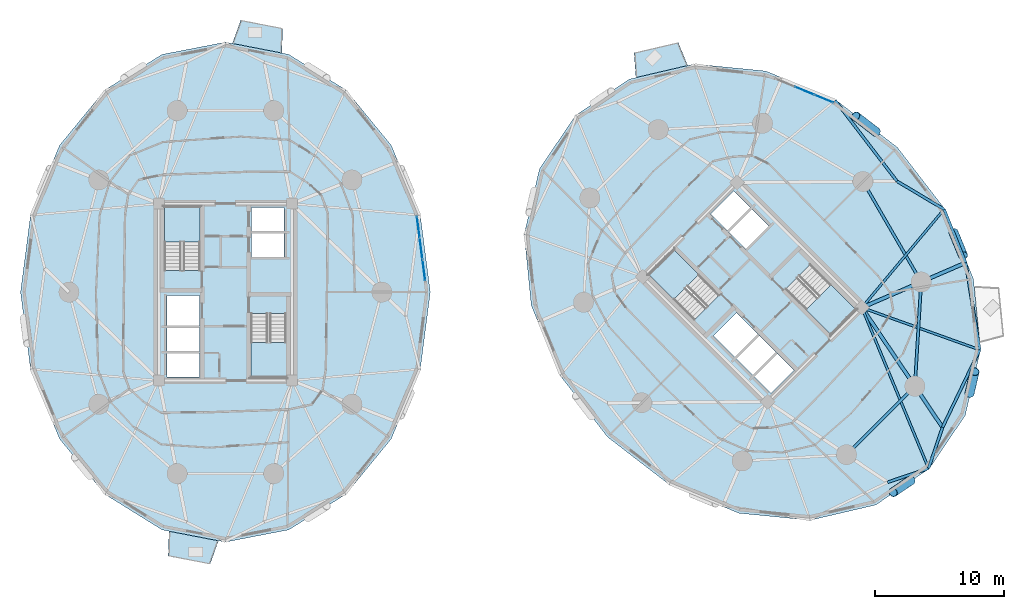
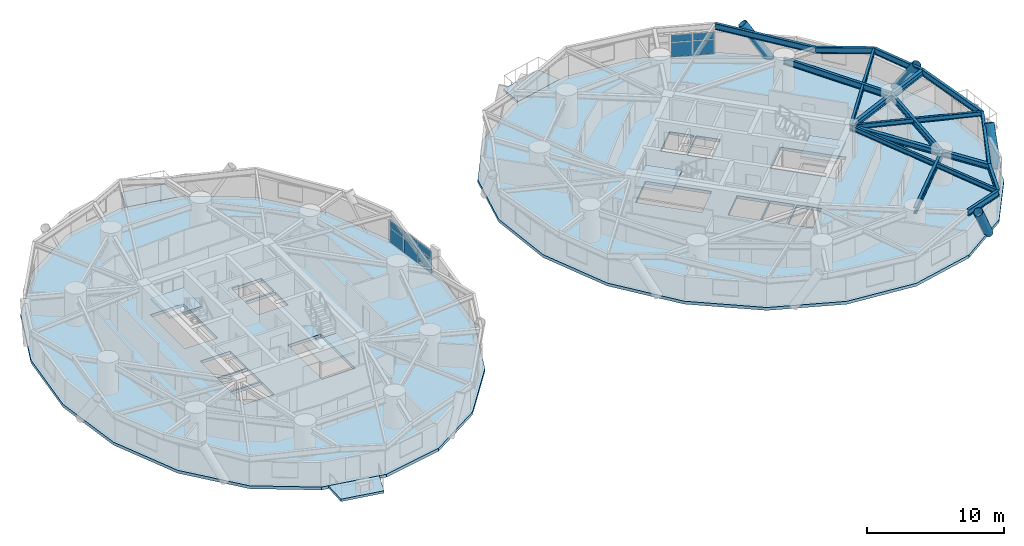
# One storey, part 7 of 17: 15 beams, 10 plates, 9 slabs, 4 members, 6 elements without a shape of their own.
"""IFC4 building model written with IfcOpenShell, lengths in metres."""

from ifc_helpers import new_model, si_unit, direction, frame, origin, origin_2d, place, context, subcontext, project, spatial, polyline, rectangle, hollow_circle, i_section, outline, extrude, source, transform, mapped, material, layer, layer_set, material_profile, profile_set, type_object, element, aggregate, save


model = new_model("IFC4")

# Units and contexts
model_context = context("Model", 3, precision=1e-05, world=origin(), true_north=direction((0.0, 1.0)))
body_context = subcontext(model_context, "Body", "Model", "MODEL_VIEW")
ifc_project = project(units=[si_unit("LENGTHUNIT", "METRE"), si_unit("AREAUNIT", "SQUARE_METRE"), si_unit("VOLUMEUNIT", "CUBIC_METRE"), si_unit("PLANEANGLEUNIT", "RADIAN"), si_unit("MASSUNIT", "GRAM", prefix="KILO")], contexts=[model_context])

# Site, building, storey
site_placement = place(None, origin())
site = spatial("IfcSite", under=ifc_project, at=site_placement, CompositionType="ELEMENT")
building_placement = place(site_placement, origin())
building = spatial("IfcBuilding", under=site, at=building_placement, Name="Cununo Teusaquillo Station Towers", CompositionType="ELEMENT")
storey_placement = place(building_placement, frame((0.0, 0.0, 59.830078125)))
storey = spatial("IfcBuildingStorey", under=building, at=storey_placement, Name="L18", CompositionType="ELEMENT", Elevation=59.830078125)

# Beams
ifc_material_1 = material(Name="Steel ASTM A572 Grade 50", Category="steel")
ifc_material_profile_1 = material_profile(ifc_material_1, i_section(OverallWidth=0.180908203125, OverallDepth=0.4169921875, WebThickness=0.010986328125, FlangeThickness=0.018310546875, FilletRadius=0.012939453125, at=origin_2d()), Name="W16X57")
ifc_profile_set_1 = profile_set([ifc_material_profile_1], Name="Steel ASTM A572 Grade 50")
beam_type_1 = type_object("IfcBeamType", Name="BM-JOIST-1", PredefinedType="JOIST", material=ifc_profile_set_1)
beam_1_placement = place(storey_placement, frame((66.024169921875, 23.29443359375, 2.44140625), z_axis=(0.383107724927, -0.923703670612, 0.0), x_axis=(0.923703670612, 0.383107724927, 0.0)))
element("IfcBeam", 1, at=beam_1_placement, inside=storey, type_object=beam_type_1, Name="L18 Tower B Radial Spandrel Joist V15", PredefinedType="JOIST", context=body_context, shape_type="SweptSolid", body=[
    extrude(i_section(OverallWidth=0.180908203125, OverallDepth=0.4169921875, WebThickness=0.010986328125, FlangeThickness=0.018310546875, FilletRadius=0.012939453125, at=origin_2d()), origin(), (0.0, 0.0, 1.0), 13.5380859375),
])
beam_2_placement = place(storey_placement, frame((66.024169921875, 23.29443359375, 2.44140625), z_axis=(0.941404588136, -0.337279411522, 0.0), x_axis=(0.337279411522, 0.941404588136, 0.0)))
element("IfcBeam", 2, at=beam_2_placement, inside=storey, type_object=beam_type_1, Name="L18 Tower B Radial Spandrel Joist V17", PredefinedType="JOIST", context=body_context, shape_type="SweptSolid", body=[
    extrude(i_section(OverallWidth=0.180908203125, OverallDepth=0.4169921875, WebThickness=0.010986328125, FlangeThickness=0.018310546875, FilletRadius=0.012939453125, at=origin_2d()), origin(), (0.0, 0.0, 1.0), 9.740234375),
])
beam_3_placement = place(storey_placement, frame((66.024169921875, 23.29443359375, 2.44140625), z_axis=(0.641315728701, 0.767277092139, 0.0), x_axis=(-0.767277092139, 0.641315728701, 0.0)))
element("IfcBeam", 3, at=beam_3_placement, inside=storey, type_object=beam_type_1, Name="L18 Tower B Radial Spandrel Joist V19", PredefinedType="JOIST", context=body_context, shape_type="SweptSolid", body=[
    extrude(i_section(OverallWidth=0.180908203125, OverallDepth=0.4169921875, WebThickness=0.010986328125, FlangeThickness=0.018310546875, FilletRadius=0.012939453125, at=origin_2d()), origin(), (0.0, 0.0, 1.0), 9.97021484375),
])
ifc_material_2 = material(Name="Steel ASTM A572 Grade 50", Category="steel")
ifc_material_profile_2 = material_profile(ifc_material_2, i_section(OverallWidth=0.280029296875, OverallDepth=0.462890625, WebThickness=0.0107421875, FlangeThickness=0.017333984375, FilletRadius=0.013916015625, at=origin_2d()), Name="W18X76")
ifc_profile_set_2 = profile_set([ifc_material_profile_2], Name="Steel ASTM A572 Grade 50")
beam_type_2 = type_object("IfcBeamType", Name="BM-RAD-G1", PredefinedType="BEAM", material=ifc_profile_set_2)
beam_4_placement = place(storey_placement, frame((66.024169921875, 23.29443359375, 2.41845703125), z_axis=(0.558572297481, -0.82945583878, 0.0), x_axis=(0.82945583878, 0.558572297481, 0.0)))
element("IfcBeam", 4, at=beam_4_placement, inside=storey, type_object=beam_type_2, Name="L18 Tower B Continuous Overhanging Radial Girder 09", PredefinedType="BEAM", context=body_context, shape_type="SweptSolid", body=[
    extrude(i_section(OverallWidth=0.280029296875, OverallDepth=0.462890625, WebThickness=0.0107421875, FlangeThickness=0.017333984375, FilletRadius=0.013916015625, at=origin_2d()), origin(), (0.0, 0.0, 1.0), 11.22998046875),
])
beam_5_placement = place(storey_placement, frame((66.024169921875, 23.29443359375, 2.41845703125), z_axis=(0.917660203996, 0.397366015157, 0.0), x_axis=(-0.397366015157, 0.917660203996, 0.0)))
element("IfcBeam", 5, at=beam_5_placement, inside=storey, type_object=beam_type_2, Name="L18 Tower B Continuous Overhanging Radial Girder 10", PredefinedType="BEAM", context=body_context, shape_type="SweptSolid", body=[
    extrude(i_section(OverallWidth=0.280029296875, OverallDepth=0.462890625, WebThickness=0.0107421875, FlangeThickness=0.017333984375, FilletRadius=0.013916015625, at=origin_2d()), origin(), (0.0, 0.0, 1.0), 8.798095703125),
])
ifc_material_3 = material(Name="Steel ASTM A572 Grade 50", Category="steel")
ifc_material_profile_3 = material_profile(ifc_material_3, i_section(OverallWidth=0.214111328125, OverallDepth=0.549072265625, WebThickness=0.0146484375, FlangeThickness=0.023681640625, FilletRadius=0.014892578125, at=origin_2d()), Name="W21X93")
ifc_profile_set_3 = profile_set([ifc_material_profile_3], Name="Steel ASTM A572 Grade 50")
beam_type_3 = type_object("IfcBeamType", Name="BM-RING-Z1", PredefinedType="SPANDREL", material=ifc_profile_set_3)
beam_6_placement = place(storey_placement, frame((64.826904296875, 11.853759765625, 2.37548828125), z_axis=(0.707106781187, 0.707106781187, 0.0), x_axis=(-0.707106781187, 0.707106781187, 0.0)))
element("IfcBeam", 6, at=beam_6_placement, inside=storey, type_object=beam_type_3, Name="L18 Tower B Structural Column Ring Girder 08", PredefinedType="SPANDREL", context=body_context, shape_type="SweptSolid", body=[
    extrude(i_section(OverallWidth=0.214111328125, OverallDepth=0.549072265625, WebThickness=0.0146484375, FlangeThickness=0.023681640625, FilletRadius=0.014892578125, at=origin_2d()), origin(), (0.0, 0.0, 1.0), 7.522705078125),
])
beam_7_placement = place(storey_placement, frame((70.146240234375, 17.173095703125, 2.37548828125), z_axis=(0.06012979176, 0.998190567048, 0.0), x_axis=(-0.998190567048, 0.06012979176, 0.0)))
element("IfcBeam", 7, at=beam_7_placement, inside=storey, type_object=beam_type_3, Name="L18 Tower B Structural Column Ring Girder 09", PredefinedType="SPANDREL", context=body_context, shape_type="SweptSolid", body=[
    extrude(i_section(OverallWidth=0.214111328125, OverallDepth=0.549072265625, WebThickness=0.0146484375, FlangeThickness=0.023681640625, FilletRadius=0.014892578125, at=origin_2d()), origin(), (0.0, 0.0, 1.0), 8.132568359375),
])
beam_8_placement = place(storey_placement, frame((70.63525390625, 25.291015625, 2.37548828125), z_axis=(-0.501311121078, 0.865267103202, 0.0), x_axis=(-0.865267103202, -0.501311121078, 0.0)))
element("IfcBeam", 8, at=beam_8_placement, inside=storey, type_object=beam_type_3, Name="L18 Tower B Structural Column Ring Girder 10", PredefinedType="SPANDREL", context=body_context, shape_type="SweptSolid", body=[
    extrude(i_section(OverallWidth=0.214111328125, OverallDepth=0.549072265625, WebThickness=0.0146484375, FlangeThickness=0.023681640625, FilletRadius=0.014892578125, at=origin_2d()), origin(), (0.0, 0.0, 1.0), 9.032958984375),
])
beam_9_placement = place(storey_placement, frame((68.7529296875, 33.12939453125, 2.37548828125), z_axis=(-0.607410042696, 0.794388469222, 0.0), x_axis=(-0.794388469222, -0.607410042696, 0.0)))
element("IfcBeam", 9, at=beam_9_placement, inside=storey, type_object=beam_type_3, Name="L18 Tower B Spandrel Ring Beam 01", PredefinedType="SPANDREL", context=body_context, shape_type="SweptSolid", body=[
    extrude(i_section(OverallWidth=0.214111328125, OverallDepth=0.549072265625, WebThickness=0.0146484375, FlangeThickness=0.023681640625, FilletRadius=0.014892578125, at=origin_2d()), origin(), (0.0, 0.0, 1.0), 7.91650390625),
])
for number, where, z_axis, x_axis, name in (
    (10, (68.020263671875, 9.703125, 2.37548828125), (0.946642852865, 0.322284515794, 0.0), (-0.322284515794, 0.946642852865, 0.0), "L18 Tower B Spandrel Ring Beam 15"),
    (11, (71.210693359375, 10.789306640625, 2.37548828125), (0.322284515794, 0.946642852865, 0.0), (-0.946642852865, 0.322284515794, 0.0), "L18 Tower B Spandrel Ring Beam 16"),
):
    element("IfcBeam", number, at=place(storey_placement, frame(where, z_axis=z_axis, x_axis=x_axis)), inside=storey, type_object=beam_type_3, Name=name, PredefinedType="SPANDREL", context=body_context, shape_type="SweptSolid", body=[
        extrude(i_section(OverallWidth=0.214111328125, OverallDepth=0.549072265625, WebThickness=0.0146484375, FlangeThickness=0.023681640625, FilletRadius=0.014892578125, at=origin_2d()), origin(), (0.0, 0.0, 1.0), 3.370361328125),
    ])
beam_10_placement = place(storey_placement, frame((72.296875, 13.979736328125, 2.37548828125), z_axis=(0.433040723491, 0.901374357189, 0.0), x_axis=(-0.901374357189, 0.433040723491, 0.0)))
element("IfcBeam", 12, at=beam_10_placement, inside=storey, type_object=beam_type_3, Name="L18 Tower B Spandrel Ring Beam 17", PredefinedType="SPANDREL", context=body_context, shape_type="SweptSolid", body=[
    extrude(i_section(OverallWidth=0.214111328125, OverallDepth=0.549072265625, WebThickness=0.0146484375, FlangeThickness=0.023681640625, FilletRadius=0.014892578125, at=origin_2d()), origin(), (0.0, 0.0, 1.0), 6.689208984375),
])
beam_11_placement = place(storey_placement, frame((75.193603515625, 20.00927734375, 2.37548828125), z_axis=(-0.15950955411, 0.987196384793, 0.0), x_axis=(-0.987196384793, -0.15950955411, 0.0)))
element("IfcBeam", 13, at=beam_11_placement, inside=storey, type_object=beam_type_3, Name="L18 Tower B Spandrel Ring Beam 18", PredefinedType="SPANDREL", context=body_context, shape_type="SweptSolid", body=[
    extrude(i_section(OverallWidth=0.214111328125, OverallDepth=0.549072265625, WebThickness=0.0146484375, FlangeThickness=0.023681640625, FilletRadius=0.014892578125, at=origin_2d()), origin(), (0.0, 0.0, 1.0), 6.869140625),
])
beam_12_placement = place(storey_placement, frame((74.097900390625, 26.79052734375, 2.37548828125), z_axis=(-0.374882843411, 0.927072194447, 0.0), x_axis=(-0.927072194447, -0.374882843411, 0.0)))
element("IfcBeam", 14, at=beam_12_placement, inside=storey, type_object=beam_type_3, Name="L18 Tower B Spandrel Ring Beam 19", PredefinedType="SPANDREL", context=body_context, shape_type="SweptSolid", body=[
    extrude(i_section(OverallWidth=0.214111328125, OverallDepth=0.549072265625, WebThickness=0.0146484375, FlangeThickness=0.023681640625, FilletRadius=0.014892578125, at=origin_2d()), origin(), (0.0, 0.0, 1.0), 4.48046875),
])
beam_13_placement = place(storey_placement, frame((72.418212890625, 30.9443359375, 2.37548828125), z_axis=(-0.858948426011, 0.512062107027, 0.0), x_axis=(-0.512062107027, -0.858948426011, 0.0)))
element("IfcBeam", 15, at=beam_13_placement, inside=storey, type_object=beam_type_3, Name="L18 Tower B Spandrel Ring Beam 20", PredefinedType="SPANDREL", context=body_context, shape_type="SweptSolid", body=[
    extrude(i_section(OverallWidth=0.214111328125, OverallDepth=0.549072265625, WebThickness=0.0146484375, FlangeThickness=0.023681640625, FilletRadius=0.014892578125, at=origin_2d()), origin(), (0.0, 0.0, 1.0), 4.26708984375),
])

# Members
ifc_material_4 = material(Name="Steel EN 10025-2 S355J2", Category="steel")
ifc_material_profile_4 = material_profile(ifc_material_4, hollow_circle(Radius=0.360107421875, WallThickness=0.028076171875, at=origin_2d()), Name="CHS 720x28")
ifc_profile_set_4 = profile_set([ifc_material_profile_4], Name="Steel EN 10025-2 S355J2")
member_type = type_object("IfcMemberType", Name="MBR-DIAG-Z1", PredefinedType="BRACE", material=ifc_profile_set_4)
member_1_placement = place(storey_placement, frame((67.135498046875, 36.9599609375, -0.14013671875), z_axis=(-0.450858430672, 0.347318267814, 0.822250993514), x_axis=(-0.610267072118, -0.792195746447, 0.0)))
element("IfcMember", 16, at=member_1_placement, inside=storey, type_object=member_type, Name="L18 Tower B Folded-Zigzag Diagrid Tube C00", PredefinedType="BRACE", context=body_context, shape_type="SweptSolid", body=[
    extrude(hollow_circle(Radius=0.360107421875, WallThickness=0.028076171875, at=origin_2d()), origin(), (0.0, 0.0, 1.0), 3.539306640625),
])
member_2_placement = place(storey_placement, frame((69.830322265625, 9.85595703125, -0.14013671875), z_axis=(-0.411696908958, -0.278250324675, 0.867803210395), x_axis=(0.559963432154, -0.828517323084, 0.0)))
element("IfcMember", 17, at=member_2_placement, inside=storey, type_object=member_type, Name="L18 Tower B Folded-Zigzag Diagrid Tube C14", PredefinedType="BRACE", context=body_context, shape_type="SweptSolid", body=[
    extrude(hollow_circle(Radius=0.360107421875, WallThickness=0.028076171875, at=origin_2d()), origin(), (0.0, 0.0, 1.0), 3.353515625),
])
member_3_placement = place(storey_placement, frame((74.40478515625, 16.62353515625, -0.14013671875), z_axis=(0.116389119441, 0.499407273641, 0.858513801817), x_axis=(-0.97390126413, 0.226972085785, 0.0)))
element("IfcMember", 18, at=member_3_placement, inside=storey, type_object=member_type, Name="L18 Tower B Folded-Zigzag Diagrid Tube C16", PredefinedType="BRACE", context=body_context, shape_type="SweptSolid", body=[
    extrude(hollow_circle(Radius=0.360107421875, WallThickness=0.028076171875, at=origin_2d()), origin(), (0.0, 0.0, 1.0), 3.3896484375),
])
member_4_placement = place(storey_placement, frame((73.160400390625, 29.138671875, -0.14013671875), z_axis=(0.211850960521, -0.515311264378, 0.830405606515), x_axis=(0.924890293694, 0.380234065584, 0.0)))
element("IfcMember", 19, at=member_4_placement, inside=storey, type_object=member_type, Name="L18 Tower B Folded-Zigzag Diagrid Tube C18", PredefinedType="BRACE", context=body_context, shape_type="SweptSolid", body=[
    extrude(hollow_circle(Radius=0.360107421875, WallThickness=0.028076171875, at=origin_2d()), origin(), (0.0, 0.0, 1.0), 3.50439453125),
])

# Slabs
ifc_material_5 = material(Name="Concrete C50/60", Category="concrete")
ifc_layer_1 = layer(ifc_material_5, 0.2099609375)
ifc_layer_set_1 = layer_set([ifc_layer_1], Name="Concrete C50/60")
slab_type_1 = type_object("IfcSlabType", Name="SLB-BAL-210", PredefinedType="FLOOR", material=ifc_layer_set_1)
slab_1_placement = place(storey_placement, frame((0.0, 0.0, -0.2099609375)))
element("IfcSlab", 20, at=slab_1_placement, inside=storey, type_object=slab_type_1, Name="L18 Tower A Sky Garden Terrace Slab 1", PredefinedType="FLOOR", context=body_context, shape_type="SweptSolid", body=[
    extrude(outline(polyline([(20.8876953125, 43.107421875), (17.041015625, 43.8505859375), (17.69873046875, 45.673828125), (20.956298828125, 45.04443359375), (20.8876953125, 43.107421875)])), origin(), (0.0, 0.0, 1.0), 0.2099609375),
])
slab_2_placement = place(storey_placement, frame((0.0, 0.0, -0.2099609375)))
element("IfcSlab", 21, at=slab_2_placement, inside=storey, type_object=slab_type_1, Name="L18 Tower A Tree Balcony Slab 2", PredefinedType="FLOOR", context=body_context, shape_type="SweptSolid", body=[
    extrude(outline(polyline([(12.1123046875, 5.892578125), (15.958984375, 5.1494140625), (15.30126953125, 3.326171875), (12.043701171875, 3.95556640625), (12.1123046875, 5.892578125)])), origin(), (0.0, 0.0, 1.0), 0.2099609375),
])
slab_3_placement = place(storey_placement, frame((0.0, 0.0, -0.2099609375)))
element("IfcSlab", 22, at=slab_3_placement, inside=storey, type_object=slab_type_1, Name="L18 Tower B Sky Garden Terrace Slab 1", PredefinedType="FLOOR", context=body_context, shape_type="SweptSolid", body=[
    extrude(outline(polyline([(52.462890625, 42.1328125), (48.43798828125, 41.193603515625), (48.295166015625, 43.126708984375), (51.735595703125, 43.9296875), (52.462890625, 42.1328125)])), origin(), (0.0, 0.0, 1.0), 0.2099609375),
])

# Stair, slab
ifc_material_6 = material(Name="Concrete C50/60", Category="concrete")
stair_type = type_object("IfcStairType", Name="ST-TWR-1300", PredefinedType="HALF_TURN_STAIR", material=ifc_material_6)
stair_1_placement = place(storey_placement, origin())
stair_1 = element("IfcStair", 23, at=stair_1_placement, inside=storey, type_object=stair_type, Name="L18 Tower A Protected Core Exit Stair 1", PredefinedType="HALF_TURN_STAIR")
ifc_material_7 = material(Name="Concrete C50/60", Category="concrete")
ifc_layer_2 = layer(ifc_material_7, 0.199951171875)
ifc_layer_set_2 = layer_set([ifc_layer_2], Name="Concrete C50/60")
slab_type_2 = type_object("IfcSlabType", Name="SLB-STAIR-LND", PredefinedType="LANDING", material=ifc_layer_set_2)
slab_4_placement = place(storey_placement, frame((0.0, 0.0, 1.2548828125)))
slab_4 = element("IfcSlab", 24, at=slab_4_placement, type_object=slab_type_2, Name="ST-T1-1 landing 1", PredefinedType="LANDING", context=body_context, shape_type="SweptSolid", body=[
    extrude(outline(polyline([(14.52001953125, 28.409912109375), (14.52001953125, 31.159912109375), (11.760009765625, 31.159912109375), (11.760009765625, 28.409912109375), (14.52001953125, 28.409912109375)])), origin(), (0.0, 0.0, 1.0), 0.199951171875),
])
aggregate(stair_1, [slab_4])

stair_2_placement = place(storey_placement, origin())
stair_2 = element("IfcStair", 25, at=stair_2_placement, inside=storey, type_object=stair_type, Name="L18 Tower A Protected Core Exit Stair 2", PredefinedType="HALF_TURN_STAIR")
slab_5_placement = place(storey_placement, frame((0.0, 0.0, 1.2548828125)))
slab_5 = element("IfcSlab", 26, at=slab_5_placement, type_object=slab_type_2, Name="ST-T1-2 landing 1", PredefinedType="LANDING", context=body_context, shape_type="SweptSolid", body=[
    extrude(outline(polyline([(18.47998046875, 20.590087890625), (18.47998046875, 17.840087890625), (21.239990234375, 17.840087890625), (21.239990234375, 20.590087890625), (18.47998046875, 20.590087890625)])), origin(), (0.0, 0.0, 1.0), 0.199951171875),
])
aggregate(stair_2, [slab_5])

stair_3_placement = place(storey_placement, origin())
stair_3 = element("IfcStair", 27, at=stair_3_placement, inside=storey, type_object=stair_type, Name="L18 Tower B Protected Core Exit Stair 1", PredefinedType="HALF_TURN_STAIR")
slab_6_placement = place(storey_placement, frame((0.0, 0.0, 1.2548828125)))
slab_6 = element("IfcSlab", 28, at=slab_6_placement, type_object=slab_type_2, Name="ST-T2-1 landing 1", PredefinedType="LANDING", context=body_context, shape_type="SweptSolid", body=[
    extrude(outline(polyline([(53.335205078125, 25.86474609375), (51.390625, 27.809326171875), (49.43896484375, 25.857666015625), (51.383544921875, 23.9130859375), (53.335205078125, 25.86474609375)])), origin(), (0.0, 0.0, 1.0), 0.199951171875),
])
aggregate(stair_3, [slab_6])

stair_4_placement = place(storey_placement, origin())
stair_4 = element("IfcStair", 29, at=stair_4_placement, inside=storey, type_object=stair_type, Name="L18 Tower B Protected Core Exit Stair 2", PredefinedType="HALF_TURN_STAIR")
slab_7_placement = place(storey_placement, frame((0.0, 0.0, 1.2548828125)))
slab_7 = element("IfcSlab", 30, at=slab_7_placement, type_object=slab_type_2, Name="ST-T2-2 landing 1", PredefinedType="LANDING", context=body_context, shape_type="SweptSolid", body=[
    extrude(outline(polyline([(61.664794921875, 23.13525390625), (63.609375, 21.190673828125), (65.56103515625, 23.142333984375), (63.616455078125, 25.0869140625), (61.664794921875, 23.13525390625)])), origin(), (0.0, 0.0, 1.0), 0.199951171875),
])
aggregate(stair_4, [slab_7])

# Slabs
ifc_material_8 = material(Name="Concrete C50/60", Category="concrete")
ifc_layer_3 = layer(ifc_material_8, 0.260009765625)
ifc_layer_set_3 = layer_set([ifc_layer_3], Name="Concrete C50/60")
slab_type_3 = type_object("IfcSlabType", Name="SLB-Z1-260", PredefinedType="FLOOR", material=ifc_layer_set_3)
slab_8_placement = place(storey_placement, frame((0.0, 0.0, -0.260009765625)))
element("IfcSlab", 31, at=slab_8_placement, inside=storey, type_object=slab_type_3, Name="L18 Tower A Floor Slab", PredefinedType="FLOOR", context=body_context, shape_type="SweptSolid", body=[
    extrude(outline(polyline([(32.443115234375, 24.5), (31.66259765625, 30.510498046875), (29.398193359375, 35.932373046875), (25.87109375, 40.2353515625), (21.4267578125, 42.998046875), (16.5, 43.949951171875), (11.5732421875, 42.998046875), (7.12890625, 40.2353515625), (3.601806640625, 35.932373046875), (1.33740234375, 30.510498046875), (0.556884765625, 24.5), (1.33740234375, 18.489501953125), (3.601806640625, 13.067626953125), (7.12890625, 8.7646484375), (11.5732421875, 6.001953125), (16.5, 5.050048828125), (21.4267578125, 6.001953125), (25.87109375, 8.7646484375), (29.398193359375, 13.067626953125), (31.66259765625, 18.489501953125), (32.443115234375, 24.5)]), holes=[polyline([(14.52001953125, 26.176025390625), (14.52001953125, 31.159912109375), (11.760009765625, 31.159912109375), (11.760009765625, 26.176025390625), (14.52001953125, 26.176025390625)]), polyline([(18.47998046875, 22.823974609375), (18.47998046875, 17.840087890625), (21.239990234375, 17.840087890625), (21.239990234375, 22.823974609375), (18.47998046875, 22.823974609375)]), polyline([(11.949951171875, 21.85009765625), (14.47998046875, 21.85009765625), (14.47998046875, 24.25), (11.949951171875, 24.25), (11.949951171875, 21.85009765625)]), polyline([(11.949951171875, 17.89990234375), (14.47998046875, 17.89990234375), (14.47998046875, 19.75), (11.949951171875, 19.75), (11.949951171875, 17.89990234375)]), polyline([(11.949951171875, 19.89990234375), (14.47998046875, 19.89990234375), (14.47998046875, 21.75), (11.949951171875, 21.75), (11.949951171875, 19.89990234375)]), polyline([(18.52001953125, 27.25), (21.050048828125, 27.25), (21.050048828125, 29.10009765625), (18.52001953125, 29.10009765625), (18.52001953125, 27.25)]), polyline([(18.52001953125, 29.25), (21.050048828125, 29.25), (21.050048828125, 31.10009765625), (18.52001953125, 31.10009765625), (18.52001953125, 29.25)])]), origin(), (0.0, 0.0, 1.0), 0.260009765625),
])
slab_9_placement = place(storey_placement, frame((0.0, 0.0, -0.260009765625)))
element("IfcSlab", 32, at=slab_9_placement, inside=storey, type_object=slab_type_3, Name="L18 Tower B Floor Slab", PredefinedType="FLOOR", context=body_context, shape_type="SweptSolid", body=[
    extrude(outline(polyline([(68.7734375, 35.7734375), (63.9716796875, 39.4716796875), (58.53662109375, 41.704345703125), (52.999755859375, 42.2529296875), (47.903564453125, 41.063720703125), (43.746826171875, 38.253173828125), (40.936279296875, 34.096435546875), (39.7470703125, 29.000244140625), (40.295654296875, 23.46337890625), (42.5283203125, 18.0283203125), (46.2265625, 13.2265625), (51.0283203125, 9.5283203125), (56.46337890625, 7.295654296875), (62.000244140625, 6.7470703125), (67.096435546875, 7.936279296875), (71.253173828125, 10.746826171875), (74.063720703125, 14.903564453125), (75.2529296875, 19.999755859375), (74.704345703125, 25.53662109375), (72.4716796875, 30.9716796875), (68.7734375, 35.7734375)]), holes=[polyline([(54.914794921875, 24.28515625), (51.390625, 27.809326171875), (49.43896484375, 25.857666015625), (52.963134765625, 22.33349609375), (54.914794921875, 24.28515625)]), polyline([(60.085205078125, 24.71484375), (63.609375, 21.190673828125), (65.56103515625, 23.142333984375), (62.036865234375, 26.66650390625), (60.085205078125, 24.71484375)]), polyline([(56.156494140625, 19.40869140625), (57.945556640625, 21.19775390625), (56.248291015625, 22.89501953125), (54.45947265625, 21.10595703125), (56.156494140625, 19.40869140625)]), polyline([(58.94970703125, 16.61572265625), (60.738525390625, 18.40478515625), (59.430419921875, 19.712890625), (57.641357421875, 17.923828125), (58.94970703125, 16.61572265625)]), polyline([(57.535400390625, 18.030029296875), (59.32421875, 19.819091796875), (58.01611328125, 21.127197265625), (56.227294921875, 19.338134765625), (57.535400390625, 18.030029296875)]), polyline([(56.98388671875, 27.872802734375), (58.772705078125, 29.661865234375), (57.464599609375, 30.969970703125), (55.67578125, 29.180908203125), (56.98388671875, 27.872802734375)]), polyline([(55.569580078125, 29.287109375), (57.358642578125, 31.076171875), (56.05029296875, 32.38427734375), (54.261474609375, 30.59521484375), (55.569580078125, 29.287109375)])]), origin(), (0.0, 0.0, 1.0), 0.260009765625),
])

# Curtain wall, plates
ifc_material_9 = material(Name="Operable acoustic tinted low-E double glazing", Category="glass")
ifc_layer_4 = layer(ifc_material_9, 0.179931640625)
ifc_layer_set_4 = layer_set([ifc_layer_4], Name="Operable acoustic tinted low-E double glazing")
curtain_wall_type = type_object("IfcCurtainWallType", Name="CW-SYS-03", PredefinedType="USERDEFINED", material=ifc_layer_set_4)
curtain_wall_1_placement = place(storey_placement, origin())
curtain_wall_1 = element("IfcCurtainWall", 33, at=curtain_wall_1_placement, inside=storey, type_object=curtain_wall_type, Name="L18 Tower A Facade Curtain Wall C00", ObjectType="OPERABLE GLAZING", PredefinedType="USERDEFINED")
ifc_material_10 = material(Name="Operable acoustic tinted low-E double glazing", Category="glass")
ifc_layer_5 = layer(ifc_material_10, 0.031982421875)
ifc_layer_set_5 = layer_set([ifc_layer_5], Name="Operable acoustic tinted low-E double glazing")
plate_type = type_object("IfcPlateType", Name="CWP-OPER-32", PredefinedType="CURTAIN_PANEL", material=ifc_layer_set_5)
shared_shape_1 = source(origin(), body_context, "Body", "SweptSolid", [
    extrude(rectangle(XDim=1.602783203125, YDim=0.031982421875, at=origin_2d()), origin(), (0.0, 0.0, 1.0), 1.241943359375),
])
plate_1_placement = place(storey_placement, frame((31.50830078125, 29.559814453125, 0.06982421875), z_axis=(0.0, 0.0, 1.0), x_axis=(0.128336112783, -0.99173073067, 0.0)))
plate_1 = element("IfcPlate", 34, at=plate_1_placement, type_object=plate_type, Name="CW-03 panel 1.1", PredefinedType="CURTAIN_PANEL", context=body_context, shape_type="MappedRepresentation", body=[
    mapped(shared_shape_1, transform((0.0, 0.0, 0.0), x_axis=(1.0, 0.0, 0.0), y_axis=(0.0, 1.0, 0.0), z_axis=(0.0, 0.0, 1.0), scale=1.0)),
])
plate_2_placement = place(storey_placement, frame((31.942138671875, 26.207275390625, 0.06982421875), z_axis=(0.0, 0.0, 1.0), x_axis=(0.128336112783, -0.99173073067, 0.0)))
plate_2 = element("IfcPlate", 35, at=plate_2_placement, type_object=plate_type, Name="CW-03 panel 3.1", PredefinedType="CURTAIN_PANEL", context=body_context, shape_type="MappedRepresentation", body=[
    mapped(shared_shape_1, transform((0.0, 0.0, 0.0), x_axis=(1.0, 0.0, 0.0), y_axis=(0.0, 1.0, 0.0), z_axis=(0.0, 0.0, 1.0), scale=1.0)),
])
shared_shape_2 = source(origin(), body_context, "Body", "SweptSolid", [
    extrude(rectangle(XDim=1.602783203125, YDim=0.031982421875, at=origin_2d()), origin(), (0.0, 0.0, 1.0), 0.62109375),
])
plate_3_placement = place(storey_placement, frame((31.50830078125, 29.559814453125, 1.3818359375), z_axis=(0.0, 0.0, 1.0), x_axis=(0.128336112783, -0.99173073067, 0.0)))
plate_3 = element("IfcPlate", 36, at=plate_3_placement, type_object=plate_type, Name="CW-03 panel 1.2", PredefinedType="CURTAIN_PANEL", context=body_context, shape_type="MappedRepresentation", body=[
    mapped(shared_shape_2, transform((0.0, 0.0, 0.0), x_axis=(1.0, 0.0, 0.0), y_axis=(0.0, 1.0, 0.0), z_axis=(0.0, 0.0, 1.0), scale=1.0)),
])
plate_4_placement = place(storey_placement, frame((31.942138671875, 26.207275390625, 1.3818359375), z_axis=(0.0, 0.0, 1.0), x_axis=(0.128336112783, -0.99173073067, 0.0)))
plate_4 = element("IfcPlate", 37, at=plate_4_placement, type_object=plate_type, Name="CW-03 panel 3.2", PredefinedType="CURTAIN_PANEL", context=body_context, shape_type="MappedRepresentation", body=[
    mapped(shared_shape_2, transform((0.0, 0.0, 0.0), x_axis=(1.0, 0.0, 0.0), y_axis=(0.0, 1.0, 0.0), z_axis=(0.0, 0.0, 1.0), scale=1.0)),
])
shared_shape_3 = source(origin(), body_context, "Body", "SweptSolid", [
    extrude(rectangle(XDim=1.6376953125, YDim=0.031982421875, at=origin_2d()), origin(), (0.0, 0.0, 1.0), 1.241943359375),
])
plate_5_placement = place(storey_placement, frame((31.72509765625, 27.883544921875, 0.06982421875), z_axis=(0.0, 0.0, 1.0), x_axis=(0.128336112783, -0.99173073067, 0.0)))
plate_5 = element("IfcPlate", 38, at=plate_5_placement, type_object=plate_type, Name="CW-03 panel 2.1", PredefinedType="CURTAIN_PANEL", context=body_context, shape_type="MappedRepresentation", body=[
    mapped(shared_shape_3, transform((0.0, 0.0, 0.0), x_axis=(1.0, 0.0, 0.0), y_axis=(0.0, 1.0, 0.0), z_axis=(0.0, 0.0, 1.0), scale=1.0)),
])
shared_shape_4 = source(origin(), body_context, "Body", "SweptSolid", [
    extrude(rectangle(XDim=1.6376953125, YDim=0.031982421875, at=origin_2d()), origin(), (0.0, 0.0, 1.0), 0.62109375),
])
plate_6_placement = place(storey_placement, frame((31.72509765625, 27.883544921875, 1.3818359375), z_axis=(0.0, 0.0, 1.0), x_axis=(0.128336112783, -0.99173073067, 0.0)))
plate_6 = element("IfcPlate", 39, at=plate_6_placement, type_object=plate_type, Name="CW-03 panel 2.2", PredefinedType="CURTAIN_PANEL", context=body_context, shape_type="MappedRepresentation", body=[
    mapped(shared_shape_4, transform((0.0, 0.0, 0.0), x_axis=(1.0, 0.0, 0.0), y_axis=(0.0, 1.0, 0.0), z_axis=(0.0, 0.0, 1.0), scale=1.0)),
])
aggregate(curtain_wall_1, [plate_1, plate_3, plate_5, plate_6, plate_2, plate_4])

curtain_wall_2_placement = place(storey_placement, origin())
curtain_wall_2 = element("IfcCurtainWall", 40, at=curtain_wall_2_placement, inside=storey, type_object=curtain_wall_type, Name="L18 Tower B Facade Curtain Wall C01", ObjectType="OPERABLE GLAZING", PredefinedType="USERDEFINED")
shared_shape_5 = source(origin(), body_context, "Body", "SweptSolid", [
    extrude(rectangle(XDim=1.541259765625, YDim=0.031982421875, at=origin_2d()), origin(), (0.0, 0.0, 1.0), 1.241943359375),
])
plate_7_placement = place(storey_placement, frame((63.0673828125, 39.54248046875, 0.06982421875), z_axis=(0.0, 0.0, 1.0), x_axis=(0.924572384299, -0.381006438517, 0.0)))
plate_7 = element("IfcPlate", 41, at=plate_7_placement, type_object=plate_type, Name="CW-03 panel 3.1", PredefinedType="CURTAIN_PANEL", context=body_context, shape_type="MappedRepresentation", body=[
    mapped(shared_shape_5, transform((0.0, 0.0, 0.0), x_axis=(1.0, 0.0, 0.0), y_axis=(0.0, 1.0, 0.0), z_axis=(0.0, 0.0, 1.0), scale=1.0)),
])
shared_shape_6 = source(origin(), body_context, "Body", "SweptSolid", [
    extrude(rectangle(XDim=1.541259765625, YDim=0.031982421875, at=origin_2d()), origin(), (0.0, 0.0, 1.0), 0.62109375),
])
plate_8_placement = place(storey_placement, frame((63.0673828125, 39.54248046875, 1.3818359375), z_axis=(0.0, 0.0, 1.0), x_axis=(0.924572384299, -0.381006438517, 0.0)))
plate_8 = element("IfcPlate", 42, at=plate_8_placement, type_object=plate_type, Name="CW-03 panel 3.2", PredefinedType="CURTAIN_PANEL", context=body_context, shape_type="MappedRepresentation", body=[
    mapped(shared_shape_6, transform((0.0, 0.0, 0.0), x_axis=(1.0, 0.0, 0.0), y_axis=(0.0, 1.0, 0.0), z_axis=(0.0, 0.0, 1.0), scale=1.0)),
])
shared_shape_7 = source(origin(), body_context, "Body", "SweptSolid", [
    extrude(rectangle(XDim=1.576171875, YDim=0.031982421875, at=origin_2d()), origin(), (0.0, 0.0, 1.0), 1.241943359375),
])
plate_9_placement = place(storey_placement, frame((61.5615234375, 40.1630859375, 0.06982421875), z_axis=(0.0, 0.0, 1.0), x_axis=(0.924572384299, -0.381006438517, 0.0)))
plate_9 = element("IfcPlate", 43, at=plate_9_placement, type_object=plate_type, Name="CW-03 panel 2.1", PredefinedType="CURTAIN_PANEL", context=body_context, shape_type="MappedRepresentation", body=[
    mapped(shared_shape_7, transform((0.0, 0.0, 0.0), x_axis=(1.0, 0.0, 0.0), y_axis=(0.0, 1.0, 0.0), z_axis=(0.0, 0.0, 1.0), scale=1.0)),
])
shared_shape_8 = source(origin(), body_context, "Body", "SweptSolid", [
    extrude(rectangle(XDim=1.576171875, YDim=0.031982421875, at=origin_2d()), origin(), (0.0, 0.0, 1.0), 0.62109375),
])
plate_10_placement = place(storey_placement, frame((61.5615234375, 40.1630859375, 1.3818359375), z_axis=(0.0, 0.0, 1.0), x_axis=(0.924572384299, -0.381006438517, 0.0)))
plate_10 = element("IfcPlate", 44, at=plate_10_placement, type_object=plate_type, Name="CW-03 panel 2.2", PredefinedType="CURTAIN_PANEL", context=body_context, shape_type="MappedRepresentation", body=[
    mapped(shared_shape_8, transform((0.0, 0.0, 0.0), x_axis=(1.0, 0.0, 0.0), y_axis=(0.0, 1.0, 0.0), z_axis=(0.0, 0.0, 1.0), scale=1.0)),
])
aggregate(curtain_wall_2, [plate_9, plate_10, plate_7, plate_8])

save(model, "model.ifc")
